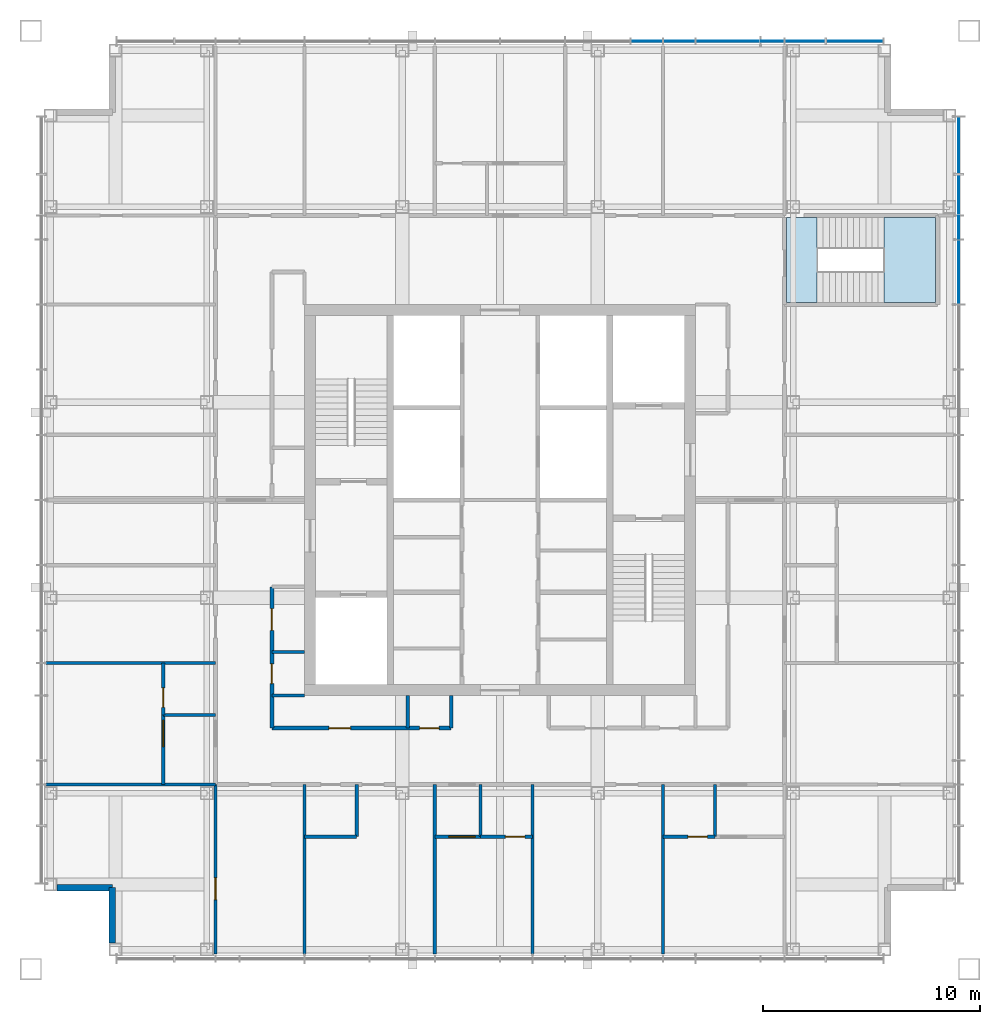
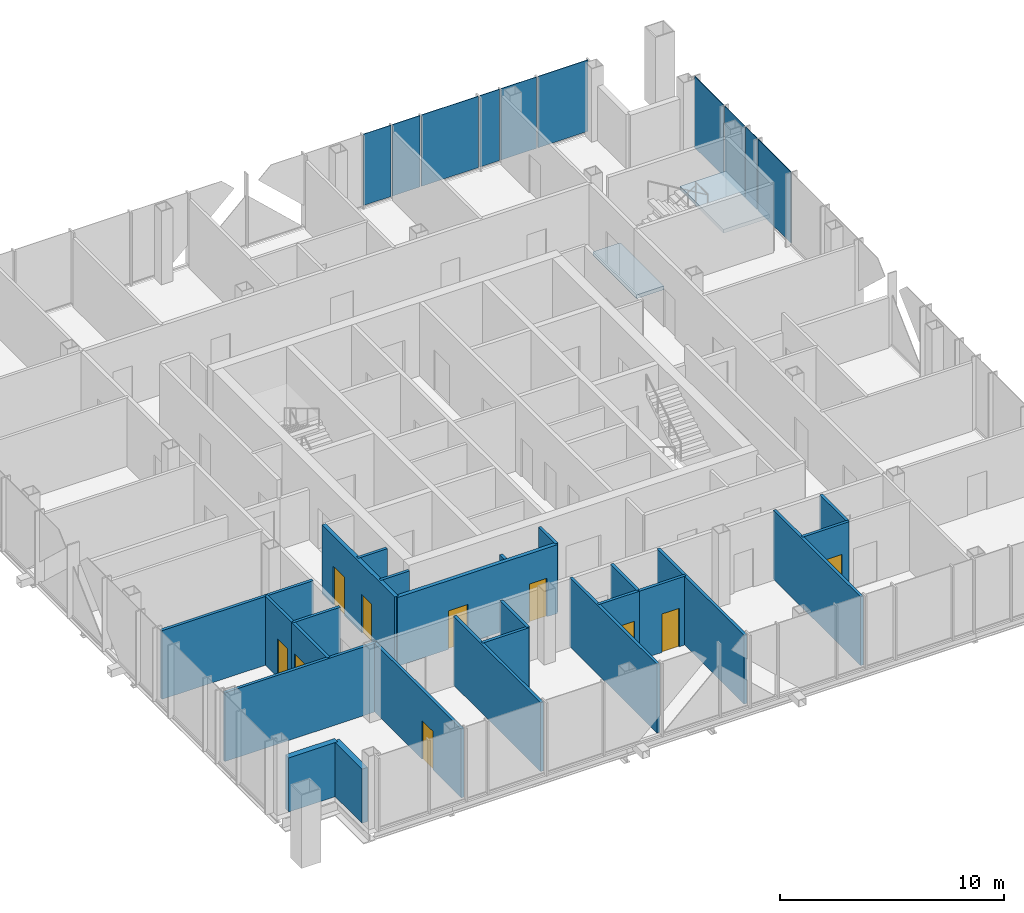
# One storey, part 7 of 12: 25 walls, 10 doors, 10 plates, 2 slabs, 10 openings, 3 elements without a shape of their own.
"""IFC4 building model written with IfcOpenShell, lengths in metres."""

from ifc_helpers import new_model, si_unit, direction, frame, frame_2d, origin, origin_2d, place, context, subcontext, project, spatial, polyline, rectangle, outline, extrude, material, layer, layer_set, type_object, element, fill, aggregate, save


model = new_model("IFC4")

# Units and contexts
model_context = context("Model", 3, precision=1e-05, world=origin(), true_north=direction((0.0, 1.0)))
body_context = subcontext(model_context, "Body", "Model", "MODEL_VIEW")
ifc_project = project(units=[si_unit("LENGTHUNIT", "METRE"), si_unit("AREAUNIT", "SQUARE_METRE"), si_unit("VOLUMEUNIT", "CUBIC_METRE"), si_unit("PLANEANGLEUNIT", "RADIAN"), si_unit("MASSUNIT", "GRAM", prefix="KILO")], contexts=[model_context])

# Site, building, storey
site_placement = place(None, origin())
site = spatial("IfcSite", under=ifc_project, at=site_placement, CompositionType="ELEMENT")
building_placement = place(site_placement, origin())
building = spatial("IfcBuilding", under=site, at=building_placement, Name="Malebo Sky Hospital", CompositionType="ELEMENT")
storey_placement = place(building_placement, frame((0.0, 0.0, 266.0)))
storey = spatial("IfcBuildingStorey", under=building, at=storey_placement, Name="L64", CompositionType="ELEMENT", Elevation=266.0)

# Stair, slabs
ifc_material_1 = material(Name="Concrete C40/50", Category="concrete")
stair_type = type_object("IfcStairType", Name="HALF-TURN STAIR 1400 R167", PredefinedType="HALF_TURN_STAIR", material=ifc_material_1)
stair_placement = place(storey_placement, origin())
stair = element("IfcStair", 1, at=stair_placement, inside=storey, type_object=stair_type, Name="Stair S3 L64 type ST1B", PredefinedType="HALF_TURN_STAIR")
ifc_layer_1 = layer(ifc_material_1, 0.199951171875)
ifc_layer_set_1 = layer_set([ifc_layer_1], Name="STAIR LANDING 200")
slab_type = type_object("IfcSlabType", Name="STAIR LANDING 200", PredefinedType="LANDING", material=ifc_layer_set_1)
slab_1_placement = place(storey_placement, frame((0.0, 0.0, -0.199951171875)))
slab_1 = element("IfcSlab", 2, at=slab_1_placement, type_object=slab_type, Name="S3 landing 1", PredefinedType="LANDING", context=body_context, shape_type="SweptSolid", body=[
    extrude(outline(polyline([(73.199951171875, 71.10009765625), (73.199951171875, 75.0), (74.60009765625, 75.0), (74.60009765625, 71.10009765625), (73.199951171875, 71.10009765625)])), origin(), (0.0, 0.0, 1.0), 0.199951171875),
])
slab_2_placement = place(storey_placement, frame((0.0, 0.0, 1.800048828125)))
slab_2 = element("IfcSlab", 3, at=slab_2_placement, type_object=slab_type, Name="S3 landing 2", PredefinedType="LANDING", context=body_context, shape_type="SweptSolid", body=[
    extrude(outline(polyline([(77.679931640625, 71.10009765625), (77.679931640625, 75.0), (80.050048828125, 75.0), (80.050048828125, 71.10009765625), (77.679931640625, 71.10009765625)])), origin(), (0.0, 0.0, 1.0), 0.199951171875),
])
aggregate(stair, [slab_1, slab_2])

# Curtain wall, plates
ifc_material_2 = material(Name="Anodised aluminium, natural silver", Category="aluminium")
ifc_layer_2 = layer(ifc_material_2, 0.25)
ifc_layer_set_2 = layer_set([ifc_layer_2], Name="WARD CURTAIN WALL NORTH AND SOUTH")
curtain_wall_type_1 = type_object("IfcCurtainWallType", Name="WARD CURTAIN WALL NORTH AND SOUTH", PredefinedType="NOTDEFINED", material=ifc_layer_set_2)
curtain_wall_1_placement = place(storey_placement, origin())
curtain_wall_1 = element("IfcCurtainWall", 4, at=curtain_wall_1_placement, inside=storey, type_object=curtain_wall_type_1, Name="NS curtain wall N", PredefinedType="NOTDEFINED")
ifc_material_3 = material(Name="Clear low-iron double glazing", Category="glass")
ifc_layer_3 = layer(ifc_material_3, 0.031982421875)
ifc_layer_set_3 = layer_set([ifc_layer_3], Name="VISION PANEL CLEAR 32")
plate_type = type_object("IfcPlateType", Name="VISION PANEL CLEAR 32", PredefinedType="CURTAIN_PANEL", material=ifc_layer_set_3)
plate_1_placement = place(storey_placement, frame((66.75, 83.125, 0.10009765625), z_axis=(0.0, 0.0, 1.0), x_axis=(1.0, 0.0, 0.0)))
plate_1 = element("IfcPlate", 5, at=plate_1_placement, type_object=plate_type, Name="Panel 10", PredefinedType="CURTAIN_PANEL", context=body_context, shape_type="SweptSolid", body=[
    extrude(rectangle(XDim=1.425048828125, YDim=0.031982421875, at=origin_2d()), origin(), (0.0, 0.0, 1.0), 3.889892578125),
])
plate_2_placement = place(storey_placement, frame((68.25, 83.125, 0.10009765625), z_axis=(0.0, 0.0, 1.0), x_axis=(1.0, 0.0, 0.0)))
plate_2 = element("IfcPlate", 6, at=plate_2_placement, type_object=plate_type, Name="Panel 11", PredefinedType="CURTAIN_PANEL", context=body_context, shape_type="SweptSolid", body=[
    extrude(rectangle(XDim=1.425048828125, YDim=0.031982421875, at=origin_2d()), origin(), (0.0, 0.0, 1.0), 3.889892578125),
])
plate_3_placement = place(storey_placement, frame((70.5, 83.125, 0.10009765625), z_axis=(0.0, 0.0, 1.0), x_axis=(1.0, 0.0, 0.0)))
plate_3 = element("IfcPlate", 7, at=plate_3_placement, type_object=plate_type, Name="Panel 12", PredefinedType="CURTAIN_PANEL", context=body_context, shape_type="SweptSolid", body=[
    extrude(rectangle(XDim=2.925048828125, YDim=0.031982421875, at=origin_2d()), origin(), (0.0, 0.0, 1.0), 3.889892578125),
])
plate_4_placement = place(storey_placement, frame((72.550048828125, 83.125, 0.10009765625), z_axis=(0.0, 0.0, 1.0), x_axis=(1.0, 0.0, 0.0)))
plate_4 = element("IfcPlate", 8, at=plate_4_placement, type_object=plate_type, Name="Panel 13", PredefinedType="CURTAIN_PANEL", context=body_context, shape_type="SweptSolid", body=[
    extrude(rectangle(XDim=1.02490234375, YDim=0.031982421875, at=origin_2d()), origin(), (0.0, 0.0, 1.0), 3.889892578125),
])
plate_5_placement = place(storey_placement, frame((74.050048828125, 83.125, 0.10009765625), z_axis=(0.0, 0.0, 1.0), x_axis=(1.0, 0.0, 0.0)))
plate_5 = element("IfcPlate", 9, at=plate_5_placement, type_object=plate_type, Name="Panel 14", PredefinedType="CURTAIN_PANEL", context=body_context, shape_type="SweptSolid", body=[
    extrude(rectangle(XDim=1.824951171875, YDim=0.031982421875, at=origin_2d()), origin(), (0.0, 0.0, 1.0), 3.889892578125),
])
plate_6_placement = place(storey_placement, frame((76.331298828125, 83.125, 0.10009765625), z_axis=(0.0, 0.0, 1.0), x_axis=(1.0, 0.0, 0.0)))
plate_6 = element("IfcPlate", 10, at=plate_6_placement, type_object=plate_type, Name="Panel 15", PredefinedType="CURTAIN_PANEL", context=body_context, shape_type="SweptSolid", body=[
    extrude(rectangle(XDim=2.58740234375, YDim=0.031982421875, at=origin_2d()), origin(), (0.0, 0.0, 1.0), 3.889892578125),
])
aggregate(curtain_wall_1, [plate_1, plate_2, plate_3, plate_4, plate_5, plate_6])

ifc_layer_4 = layer(ifc_material_2, 0.25)
ifc_layer_set_4 = layer_set([ifc_layer_4], Name="WARD CURTAIN WALL EAST AND WEST")
curtain_wall_type_2 = type_object("IfcCurtainWallType", Name="WARD CURTAIN WALL EAST AND WEST", PredefinedType="NOTDEFINED", material=ifc_layer_set_4)
curtain_wall_2_placement = place(storey_placement, origin())
curtain_wall_2 = element("IfcCurtainWall", 11, at=curtain_wall_2_placement, inside=storey, type_object=curtain_wall_type_2, Name="EW curtain wall E", PredefinedType="NOTDEFINED")
plate_7_placement = place(storey_placement, frame((81.125, 78.331298828125, 0.10009765625), z_axis=(0.0, 0.0, 1.0), x_axis=(0.0, -1.0, 0.0)))
plate_7 = element("IfcPlate", 12, at=plate_7_placement, type_object=plate_type, Name="Panel 1", PredefinedType="CURTAIN_PANEL", context=body_context, shape_type="SweptSolid", body=[
    extrude(rectangle(XDim=2.58740234375, YDim=0.031982421875, at=origin_2d()), origin(), (0.0, 0.0, 1.0), 3.889892578125),
])
plate_8_placement = place(storey_placement, frame((81.125, 76.050048828125, 0.10009765625), z_axis=(0.0, 0.0, 1.0), x_axis=(0.0, -1.0, 0.0)))
plate_8 = element("IfcPlate", 13, at=plate_8_placement, type_object=plate_type, Name="Panel 2", PredefinedType="CURTAIN_PANEL", context=body_context, shape_type="SweptSolid", body=[
    extrude(rectangle(XDim=1.824951171875, YDim=0.031982421875, at=origin_2d()), origin(), (0.0, 0.0, 1.0), 3.889892578125),
])
plate_9_placement = place(storey_placement, frame((81.125, 74.550048828125, 0.10009765625), z_axis=(0.0, 0.0, 1.0), x_axis=(0.0, -1.0, 0.0)))
plate_9 = element("IfcPlate", 14, at=plate_9_placement, type_object=plate_type, Name="Panel 3", PredefinedType="CURTAIN_PANEL", context=body_context, shape_type="SweptSolid", body=[
    extrude(rectangle(XDim=1.02490234375, YDim=0.031982421875, at=origin_2d()), origin(), (0.0, 0.0, 1.0), 3.889892578125),
])
plate_10_placement = place(storey_placement, frame((81.125, 72.5, 0.10009765625), z_axis=(0.0, 0.0, 1.0), x_axis=(0.0, -1.0, 0.0)))
plate_10 = element("IfcPlate", 15, at=plate_10_placement, type_object=plate_type, Name="Panel 4", PredefinedType="CURTAIN_PANEL", context=body_context, shape_type="SweptSolid", body=[
    extrude(rectangle(XDim=2.925048828125, YDim=0.031982421875, at=origin_2d()), origin(), (0.0, 0.0, 1.0), 3.889892578125),
])
aggregate(curtain_wall_2, [plate_7, plate_8, plate_9, plate_10])

# Wall, openings, doors
ifc_material_4 = material(Name="Gypsum board on steel studs", Category="steel")
ifc_layer_5 = layer(ifc_material_4, 0.199951171875)
ifc_layer_set_5 = layer_set([ifc_layer_5], Name="CORRIDOR WALL 200")
wall_type_1 = type_object("IfcWallType", Name="CORRIDOR WALL 200", PredefinedType="PARTITIONING", material=ifc_layer_set_5)
wall_1_placement = place(storey_placement, frame((49.5, 51.5, 0.0), z_axis=(0.0, 0.0, 1.0), x_axis=(0.0, 1.0, 0.0)))
wall_1 = element("IfcWall", 16, at=wall_1_placement, inside=storey, type_object=wall_type_1, Name="Corridor Wall 200 WCI1", PredefinedType="PARTITIONING", context=body_context, shape_type="SweptSolid", body=[
    extrude(rectangle(XDim=6.5, YDim=0.199951171875, at=frame_2d((3.25, 0.0))), origin(), (0.0, 0.0, 1.0), 3.75),
])
opening_1_placement = place(wall_1_placement, frame((2.050048828125, 0.0, 0.0)))
opening_1 = element("IfcOpeningElement", 17, at=opening_1_placement, cuts=wall_1, Name="Opening D04", PredefinedType="OPENING", context=body_context, shape_type="SweptSolid", body=[
    extrude(rectangle(XDim=0.89990234375, YDim=2.10009765625, at=frame_2d((0.449951171875, 1.050048828125))), frame((0.0, 0.10986328125, 0.0), z_axis=(0.0, -1.0, 0.0), x_axis=(1.0, 0.0, 0.0)), (0.0, 0.0, 1.0), 0.219970703125),
])
opening_2_placement = place(wall_1_placement, frame((4.5, 0.0, 0.0)))
opening_2 = element("IfcOpeningElement", 18, at=opening_2_placement, cuts=wall_1, Name="Opening D03", PredefinedType="OPENING", context=body_context, shape_type="SweptSolid", body=[
    extrude(rectangle(XDim=1.0, YDim=2.10009765625, at=frame_2d((0.5, 1.050048828125))), frame((0.0, 0.10986328125, 0.0), z_axis=(0.0, -1.0, 0.0), x_axis=(1.0, 0.0, 0.0)), (0.0, 0.0, 1.0), 0.219970703125),
])
ifc_material_5 = material(Name="Hardwood-faced door leaf in steel frame", Category="steel")
door_type_1 = type_object("IfcDoorType", Name="ROOM DOOR 1000", OperationType="SINGLE_SWING_LEFT", PredefinedType="DOOR", material=ifc_material_5)
door_1_placement = place(opening_2_placement, origin())
door_1 = element("IfcDoor", 19, at=door_1_placement, inside=storey, type_object=door_type_1, Name="Linen store door", OperationType="SINGLE_SWING_LEFT", OverallHeight=2.10009765625, OverallWidth=1.0, PredefinedType="DOOR", context=body_context, shape_type="SweptSolid", body=[
    extrude(rectangle(XDim=1.0, YDim=2.10009765625, at=frame_2d((0.5, 1.050048828125))), frame((0.0, 0.02490234375, 0.0), z_axis=(0.0, -1.0, 0.0), x_axis=(1.0, 0.0, 0.0)), (0.0, 0.0, 1.0), 0.050048828125),
])
fill(opening_2, door_1)
door_type_2 = type_object("IfcDoorType", Name="ROOM DOOR 900", OperationType="SINGLE_SWING_LEFT", PredefinedType="DOOR", material=ifc_material_5)
door_2_placement = place(opening_1_placement, origin())
door_2 = element("IfcDoor", 20, at=door_2_placement, inside=storey, type_object=door_type_2, Name="Staff WC door", OperationType="SINGLE_SWING_LEFT", OverallHeight=2.10009765625, OverallWidth=0.89990234375, PredefinedType="DOOR", context=body_context, shape_type="SweptSolid", body=[
    extrude(rectangle(XDim=0.89990234375, YDim=2.10009765625, at=frame_2d((0.449951171875, 1.050048828125))), frame((0.0, 0.02490234375, 0.0), z_axis=(0.0, -1.0, 0.0), x_axis=(1.0, 0.0, 0.0)), (0.0, 0.0, 1.0), 0.050048828125),
])
fill(opening_1, door_2)

wall_2_placement = place(storey_placement, frame((57.75, 51.5, 0.0), z_axis=(0.0, 0.0, 1.0), x_axis=(-1.0, 0.0, 0.0)))
wall_2 = element("IfcWall", 21, at=wall_2_placement, inside=storey, type_object=wall_type_1, Name="Corridor Wall 200 SCI2", PredefinedType="PARTITIONING", context=body_context, shape_type="SweptSolid", body=[
    extrude(rectangle(XDim=8.25, YDim=0.199951171875, at=frame_2d((4.125, 0.0))), origin(), (0.0, 0.0, 1.0), 3.75),
])
opening_3_placement = place(wall_2_placement, frame((0.550048828125, 0.0, 0.0)))
opening_3 = element("IfcOpeningElement", 22, at=opening_3_placement, cuts=wall_2, Name="Opening D04", PredefinedType="OPENING", context=body_context, shape_type="SweptSolid", body=[
    extrude(rectangle(XDim=0.89990234375, YDim=2.10009765625, at=frame_2d((0.449951171875, 1.050048828125))), frame((0.0, 0.10986328125, 0.0), z_axis=(0.0, -1.0, 0.0), x_axis=(1.0, 0.0, 0.0)), (0.0, 0.0, 1.0), 0.219970703125),
])
opening_4_placement = place(wall_2_placement, frame((4.625, 0.0, 0.0)))
opening_4 = element("IfcOpeningElement", 23, at=opening_4_placement, cuts=wall_2, Name="Opening D03", PredefinedType="OPENING", context=body_context, shape_type="SweptSolid", body=[
    extrude(rectangle(XDim=1.0, YDim=2.10009765625, at=frame_2d((0.5, 1.050048828125))), frame((0.0, 0.10986328125, 0.0), z_axis=(0.0, -1.0, 0.0), x_axis=(1.0, 0.0, 0.0)), (0.0, 0.0, 1.0), 0.219970703125),
])
door_3_placement = place(opening_4_placement, origin())
door_3 = element("IfcDoor", 24, at=door_3_placement, inside=storey, type_object=door_type_1, Name="Gowning store door", OperationType="SINGLE_SWING_RIGHT", OverallHeight=2.10009765625, OverallWidth=1.0, PredefinedType="DOOR", context=body_context, shape_type="SweptSolid", body=[
    extrude(rectangle(XDim=1.0, YDim=2.10009765625, at=frame_2d((0.5, 1.050048828125))), frame((0.0, 0.02490234375, 0.0), z_axis=(0.0, -1.0, 0.0), x_axis=(1.0, 0.0, 0.0)), (0.0, 0.0, 1.0), 0.050048828125),
])
fill(opening_4, door_3)
door_4_placement = place(opening_3_placement, origin())
door_4 = element("IfcDoor", 25, at=door_4_placement, inside=storey, type_object=door_type_2, Name="Visitor WC door", OperationType="SINGLE_SWING_LEFT", OverallHeight=2.10009765625, OverallWidth=0.89990234375, PredefinedType="DOOR", context=body_context, shape_type="SweptSolid", body=[
    extrude(rectangle(XDim=0.89990234375, YDim=2.10009765625, at=frame_2d((0.449951171875, 1.050048828125))), frame((0.0, 0.02490234375, 0.0), z_axis=(0.0, -1.0, 0.0), x_axis=(1.0, 0.0, 0.0)), (0.0, 0.0, 1.0), 0.050048828125),
])
fill(opening_3, door_4)

# Walls
ifc_material_6 = material(Name="Anodised aluminium rainscreen on steel framing", Category="steel")
ifc_layer_6 = layer(ifc_material_6, 0.300048828125)
ifc_layer_set_6 = layer_set([ifc_layer_6], Name="NOTCH RAINSCREEN WALL 300")
wall_type_2 = type_object("IfcWallType", Name="NOTCH RAINSCREEN WALL 300", PredefinedType="ELEMENTEDWALL", material=ifc_layer_set_6)
for number, where, z_axis, x_axis, name in (
    (26, (42.14990234375, 41.60009765625, 0.0), (0.0, 0.0, 1.0), (0.0, 1.0, 0.0), "Notch rainscreen wall S1 L64"),
    (27, (42.14990234375, 44.14990234375, 0.0), (0.0, 0.0, 1.0), (-1.0, 0.0, 0.0), "Notch rainscreen wall S2 L64"),
):
    element("IfcWall", number, at=place(storey_placement, frame(where, z_axis=z_axis, x_axis=x_axis)), inside=storey, type_object=wall_type_2, Name=name, PredefinedType="ELEMENTEDWALL", context=body_context, shape_type="SweptSolid", body=[
        extrude(rectangle(XDim=2.5498046875, YDim=0.300048828125, at=frame_2d((1.27490234375, 0.0))), origin(), (0.0, 0.0, 1.0), 2.949951171875),
    ])
ifc_layer_7 = layer(ifc_material_4, 0.14990234375)
ifc_layer_set_7 = layer_set([ifc_layer_7], Name="PARTITION 150")
wall_type_3 = type_object("IfcWallType", Name="PARTITION 150", PredefinedType="PARTITIONING", material=ifc_layer_set_7)
for number, where, z_axis, x_axis, name in (
    (28, (46.89990234375, 54.5, 0.0), (0.0, 0.0, 1.0), (-1.0, 0.0, 0.0), "Partition 150 WP-7.5"),
    (29, (46.89990234375, 48.89990234375, 0.0), (0.0, 0.0, 1.0), (-1.0, 0.0, 0.0), "Partition 150 WP0"),
):
    element("IfcWall", number, at=place(storey_placement, frame(where, z_axis=z_axis, x_axis=x_axis)), inside=storey, type_object=wall_type_3, Name=name, PredefinedType="PARTITIONING", context=body_context, shape_type="SweptSolid", body=[
        extrude(rectangle(XDim=7.7998046875, YDim=0.14990234375, at=frame_2d((3.89990234375, 0.0))), origin(), (0.0, 0.0, 1.0), 3.75),
    ])

# Wall, opening, door
wall_3_placement = place(storey_placement, frame((44.5, 52.10009765625, 0.0), z_axis=(0.0, 0.0, 1.0), x_axis=(0.0, 1.0, 0.0)))
wall_3 = element("IfcWall", 30, at=wall_3_placement, inside=storey, type_object=wall_type_3, Name="Partition 150 WE0F", PredefinedType="PARTITIONING", context=body_context, shape_type="SweptSolid", body=[
    extrude(rectangle(XDim=2.39990234375, YDim=0.14990234375, at=frame_2d((1.199951171875, 0.0))), origin(), (0.0, 0.0, 1.0), 3.75),
])
opening_5_placement = place(wall_3_placement, frame((0.35009765625, 0.0, 0.0)))
opening_5 = element("IfcOpeningElement", 31, at=opening_5_placement, cuts=wall_3, Name="Opening D02", PredefinedType="OPENING", context=body_context, shape_type="SweptSolid", body=[
    extrude(rectangle(XDim=0.89990234375, YDim=2.10009765625, at=frame_2d((0.449951171875, 1.050048828125))), frame((0.0, 0.0849609375, 0.0), z_axis=(0.0, -1.0, 0.0), x_axis=(1.0, 0.0, 0.0)), (0.0, 0.0, 1.0), 0.169921875),
])
door_type_3 = type_object("IfcDoorType", Name="EN-SUITE DOOR 900", OperationType="SINGLE_SWING_LEFT", PredefinedType="DOOR", material=ifc_material_5)
door_5_placement = place(opening_5_placement, origin())
door_5 = element("IfcDoor", 32, at=door_5_placement, inside=storey, type_object=door_type_3, Name="En-suite door", OperationType="SINGLE_SWING_LEFT", OverallHeight=2.10009765625, OverallWidth=0.89990234375, PredefinedType="DOOR", context=body_context, shape_type="SweptSolid", body=[
    extrude(rectangle(XDim=0.89990234375, YDim=2.10009765625, at=frame_2d((0.449951171875, 1.050048828125))), frame((0.0, 0.02490234375, 0.0), z_axis=(0.0, -1.0, 0.0), x_axis=(1.0, 0.0, 0.0)), (0.0, 0.0, 1.0), 0.050048828125),
])
fill(opening_5, door_5)

# Walls
wall_4_placement = place(storey_placement, frame((46.89990234375, 52.10009765625, 0.0), z_axis=(0.0, 0.0, 1.0), x_axis=(-1.0, 0.0, 0.0)))
element("IfcWall", 33, at=wall_4_placement, inside=storey, type_object=wall_type_3, Name="Partition 150 WE0S", PredefinedType="PARTITIONING", context=body_context, shape_type="SweptSolid", body=[
    extrude(rectangle(XDim=2.39990234375, YDim=0.14990234375, at=frame_2d((1.199951171875, 0.0))), origin(), (0.0, 0.0, 1.0), 3.75),
])
for number, where, z_axis, x_axis, name in (
    (34, (51.0, 53.0, 0.0), (0.0, 0.0, 1.0), (-1.0, 0.0, 0.0), "Partition 150 WSP0"),
    (35, (51.0, 55.0, 0.0), (0.0, 0.0, 1.0), (-1.0, 0.0, 0.0), "Partition 150 WSP-7.0"),
):
    element("IfcWall", number, at=place(storey_placement, frame(where, z_axis=z_axis, x_axis=x_axis)), inside=storey, type_object=wall_type_3, Name=name, PredefinedType="PARTITIONING", context=body_context, shape_type="SweptSolid", body=[
        extrude(rectangle(XDim=1.5, YDim=0.14990234375, at=frame_2d((0.75, 0.0))), origin(), (0.0, 0.0, 1.0), 3.75),
    ])
for number, where, z_axis, x_axis, name in (
    (36, (67.5, 48.89990234375, 0.0), (0.0, 0.0, 1.0), (0.0, -1.0, 0.0), "Partition 150 SP-7.5"),
    (37, (61.5, 48.89990234375, 0.0), (0.0, 0.0, 1.0), (0.0, -1.0, 0.0), "Partition 150 SP-1.5"),
    (38, (57.0, 48.89990234375, 0.0), (0.0, 0.0, 1.0), (0.0, -1.0, 0.0), "Partition 150 SP+3.0"),
    (39, (51.0, 48.89990234375, 0.0), (0.0, 0.0, 1.0), (0.0, -1.0, 0.0), "Partition 150 SP+9.0"),
):
    element("IfcWall", number, at=place(storey_placement, frame(where, z_axis=z_axis, x_axis=x_axis)), inside=storey, type_object=wall_type_3, Name=name, PredefinedType="PARTITIONING", context=body_context, shape_type="SweptSolid", body=[
        extrude(rectangle(XDim=7.7998046875, YDim=0.14990234375, at=frame_2d((3.89990234375, 0.0))), origin(), (0.0, 0.0, 1.0), 3.75),
    ])

# Wall, opening, door
wall_5_placement = place(storey_placement, frame((69.89990234375, 46.5, 0.0), z_axis=(0.0, 0.0, 1.0), x_axis=(-1.0, 0.0, 0.0)))
wall_5 = element("IfcWall", 40, at=wall_5_placement, inside=storey, type_object=wall_type_3, Name="Partition 150 SE0F", PredefinedType="PARTITIONING", context=body_context, shape_type="SweptSolid", body=[
    extrude(rectangle(XDim=2.39990234375, YDim=0.14990234375, at=frame_2d((1.199951171875, 0.0))), origin(), (0.0, 0.0, 1.0), 3.75),
])
opening_6_placement = place(wall_5_placement, frame((0.35009765625, 0.0, 0.0)))
opening_6 = element("IfcOpeningElement", 41, at=opening_6_placement, cuts=wall_5, Name="Opening D02", PredefinedType="OPENING", context=body_context, shape_type="SweptSolid", body=[
    extrude(rectangle(XDim=0.89990234375, YDim=2.10009765625, at=frame_2d((0.449951171875, 1.050048828125))), frame((0.0, 0.0849609375, 0.0), z_axis=(0.0, -1.0, 0.0), x_axis=(1.0, 0.0, 0.0)), (0.0, 0.0, 1.0), 0.169921875),
])
door_6_placement = place(opening_6_placement, origin())
door_6 = element("IfcDoor", 42, at=door_6_placement, inside=storey, type_object=door_type_3, Name="En-suite door", OperationType="SINGLE_SWING_LEFT", OverallHeight=2.10009765625, OverallWidth=0.89990234375, PredefinedType="DOOR", context=body_context, shape_type="SweptSolid", body=[
    extrude(rectangle(XDim=0.89990234375, YDim=2.10009765625, at=frame_2d((0.449951171875, 1.050048828125))), frame((0.0, 0.02490234375, 0.0), z_axis=(0.0, -1.0, 0.0), x_axis=(1.0, 0.0, 0.0)), (0.0, 0.0, 1.0), 0.050048828125),
])
fill(opening_6, door_6)

# Wall
wall_6_placement = place(storey_placement, frame((69.89990234375, 48.89990234375, 0.0), z_axis=(0.0, 0.0, 1.0), x_axis=(0.0, -1.0, 0.0)))
element("IfcWall", 43, at=wall_6_placement, inside=storey, type_object=wall_type_3, Name="Partition 150 SE0S", PredefinedType="PARTITIONING", context=body_context, shape_type="SweptSolid", body=[
    extrude(rectangle(XDim=2.39990234375, YDim=0.14990234375, at=frame_2d((1.199951171875, 0.0))), origin(), (0.0, 0.0, 1.0), 3.75),
])

# Wall, opening, door
wall_7_placement = place(storey_placement, frame((61.5, 46.5, 0.0), z_axis=(0.0, 0.0, 1.0), x_axis=(-1.0, 0.0, 0.0)))
wall_7 = element("IfcWall", 44, at=wall_7_placement, inside=storey, type_object=wall_type_3, Name="Partition 150 SE2F", PredefinedType="PARTITIONING", context=body_context, shape_type="SweptSolid", body=[
    extrude(rectangle(XDim=2.39990234375, YDim=0.14990234375, at=frame_2d((1.199951171875, 0.0))), origin(), (0.0, 0.0, 1.0), 3.75),
])
opening_7_placement = place(wall_7_placement, frame((0.35009765625, 0.0, 0.0)))
opening_7 = element("IfcOpeningElement", 45, at=opening_7_placement, cuts=wall_7, Name="Opening D02", PredefinedType="OPENING", context=body_context, shape_type="SweptSolid", body=[
    extrude(rectangle(XDim=0.89990234375, YDim=2.10009765625, at=frame_2d((0.449951171875, 1.050048828125))), frame((0.0, 0.0849609375, 0.0), z_axis=(0.0, -1.0, 0.0), x_axis=(1.0, 0.0, 0.0)), (0.0, 0.0, 1.0), 0.169921875),
])
door_7_placement = place(opening_7_placement, origin())
door_7 = element("IfcDoor", 46, at=door_7_placement, inside=storey, type_object=door_type_3, Name="En-suite door", OperationType="SINGLE_SWING_LEFT", OverallHeight=2.10009765625, OverallWidth=0.89990234375, PredefinedType="DOOR", context=body_context, shape_type="SweptSolid", body=[
    extrude(rectangle(XDim=0.89990234375, YDim=2.10009765625, at=frame_2d((0.449951171875, 1.050048828125))), frame((0.0, 0.02490234375, 0.0), z_axis=(0.0, -1.0, 0.0), x_axis=(1.0, 0.0, 0.0)), (0.0, 0.0, 1.0), 0.050048828125),
])
fill(opening_7, door_7)

# Walls
for number, where, z_axis, x_axis, name in (
    (47, (59.10009765625, 48.89990234375, 0.0), (0.0, 0.0, 1.0), (0.0, -1.0, 0.0), "Partition 150 SE2S"),
    (48, (53.39990234375, 46.5, 0.0), (0.0, 0.0, 1.0), (-1.0, 0.0, 0.0), "Partition 150 SC3F"),
    (49, (53.39990234375, 48.89990234375, 0.0), (0.0, 0.0, 1.0), (0.0, -1.0, 0.0), "Partition 150 SC3S"),
):
    element("IfcWall", number, at=place(storey_placement, frame(where, z_axis=z_axis, x_axis=x_axis)), inside=storey, type_object=wall_type_3, Name=name, PredefinedType="PARTITIONING", context=body_context, shape_type="SweptSolid", body=[
        extrude(rectangle(XDim=2.39990234375, YDim=0.14990234375, at=frame_2d((1.199951171875, 0.0))), origin(), (0.0, 0.0, 1.0), 3.75),
    ])

# Wall, opening, door
wall_8_placement = place(storey_placement, frame((46.89990234375, 48.89990234375, 0.0), z_axis=(0.0, 0.0, 1.0), x_axis=(0.0, -1.0, 0.0)))
wall_8 = element("IfcWall", 50, at=wall_8_placement, inside=storey, type_object=wall_type_3, Name="Partition 150 SK", PredefinedType="PARTITIONING", context=body_context, shape_type="SweptSolid", body=[
    extrude(rectangle(XDim=7.7998046875, YDim=0.14990234375, at=frame_2d((3.89990234375, 0.0))), origin(), (0.0, 0.0, 1.0), 3.75),
])
opening_8_placement = place(wall_8_placement, frame((4.300048828125, 0.0, 0.0)))
opening_8 = element("IfcOpeningElement", 51, at=opening_8_placement, cuts=wall_8, Name="Opening D03", PredefinedType="OPENING", context=body_context, shape_type="SweptSolid", body=[
    extrude(rectangle(XDim=1.0, YDim=2.10009765625, at=frame_2d((0.5, 1.050048828125))), frame((0.0, 0.0849609375, 0.0), z_axis=(0.0, -1.0, 0.0), x_axis=(1.0, 0.0, 0.0)), (0.0, 0.0, 1.0), 0.169921875),
])
door_8_placement = place(opening_8_placement, origin())
door_8 = element("IfcDoor", 52, at=door_8_placement, inside=storey, type_object=door_type_1, Name="Quiet room door", OperationType="SINGLE_SWING_RIGHT", OverallHeight=2.10009765625, OverallWidth=1.0, PredefinedType="DOOR", context=body_context, shape_type="SweptSolid", body=[
    extrude(rectangle(XDim=1.0, YDim=2.10009765625, at=frame_2d((0.5, 1.050048828125))), frame((0.0, 0.02490234375, 0.0), z_axis=(0.0, -1.0, 0.0), x_axis=(1.0, 0.0, 0.0)), (0.0, 0.0, 1.0), 0.050048828125),
])
fill(opening_8, door_8)

# Walls
wall_9_placement = place(storey_placement, frame((57.75, 53.0, 0.0), z_axis=(0.0, 0.0, 1.0), x_axis=(0.0, -1.0, 0.0)))
element("IfcWall", 53, at=wall_9_placement, inside=storey, type_object=wall_type_3, Name="Partition 150 SSPB", PredefinedType="PARTITIONING", context=body_context, shape_type="SweptSolid", body=[
    extrude(rectangle(XDim=1.5, YDim=0.14990234375, at=frame_2d((0.75, 0.0))), origin(), (0.0, 0.0, 1.0), 3.75),
])
wall_10_placement = place(storey_placement, frame((55.75, 53.0, 0.0), z_axis=(0.0, 0.0, 1.0), x_axis=(0.0, -1.0, 0.0)))
element("IfcWall", 54, at=wall_10_placement, inside=storey, type_object=wall_type_3, Name="Partition 150 SSP+4.2", PredefinedType="PARTITIONING", context=body_context, shape_type="SweptSolid", body=[
    extrude(rectangle(XDim=1.5, YDim=0.14990234375, at=frame_2d((0.75, 0.0))), origin(), (0.0, 0.0, 1.0), 2.949951171875),
])

# Wall, opening, door
ifc_material_7 = material(Name="Sealed gypsum board on steel studs, taped to the slab", Category="steel")
ifc_layer_8 = layer(ifc_material_7, 0.14990234375)
ifc_layer_set_8 = layer_set([ifc_layer_8], Name="SEALED ISOLATION PARTITION 150")
wall_type_4 = type_object("IfcWallType", Name="SEALED ISOLATION PARTITION 150", PredefinedType="PARTITIONING", material=ifc_layer_set_8)
wall_11_placement = place(storey_placement, frame((44.5, 48.89990234375, 0.0), z_axis=(0.0, 0.0, 1.0), x_axis=(0.0, 1.0, 0.0)))
wall_11 = element("IfcWall", 55, at=wall_11_placement, inside=storey, type_object=wall_type_4, Name="Sealed Isolation Partition 150 WA0F", PredefinedType="PARTITIONING", context=body_context, shape_type="SweptSolid", body=[
    extrude(rectangle(XDim=3.2001953125, YDim=0.14990234375, at=frame_2d((1.60009765625, 0.0))), origin(), (0.0, 0.0, 1.0), 3.75),
])
opening_9_placement = place(wall_11_placement, frame((1.75, 0.0, 0.0)))
opening_9 = element("IfcOpeningElement", 56, at=opening_9_placement, cuts=wall_11, Name="Opening D19", PredefinedType="OPENING", context=body_context, shape_type="SweptSolid", body=[
    extrude(rectangle(XDim=1.199951171875, YDim=2.199951171875, at=frame_2d((0.60009765625, 1.10009765625))), frame((0.0, 0.0849609375, 0.0), z_axis=(0.0, -1.0, 0.0), x_axis=(1.0, 0.0, 0.0)), (0.0, 0.0, 1.0), 0.169921875),
])
ifc_material_8 = material(Name="Hardwood-faced door leaf with perimeter seals in steel frame", Category="steel")
door_type_4 = type_object("IfcDoorType", Name="SEALED ISOLATION ROOM DOOR 1200", OperationType="SINGLE_SWING_LEFT", PredefinedType="DOOR", material=ifc_material_8)
door_9_placement = place(opening_9_placement, origin())
door_9 = element("IfcDoor", 57, at=door_9_placement, inside=storey, type_object=door_type_4, Name="Isolation room door", OperationType="SINGLE_SWING_RIGHT", OverallHeight=2.199951171875, OverallWidth=1.199951171875, PredefinedType="DOOR", context=body_context, shape_type="SweptSolid", body=[
    extrude(rectangle(XDim=1.199951171875, YDim=2.199951171875, at=frame_2d((0.60009765625, 1.10009765625))), frame((0.0, 0.02490234375, 0.0), z_axis=(0.0, -1.0, 0.0), x_axis=(1.0, 0.0, 0.0)), (0.0, 0.0, 1.0), 0.050048828125),
])
fill(opening_9, door_9)

wall_12_placement = place(storey_placement, frame((59.10009765625, 46.5, 0.0), z_axis=(0.0, 0.0, 1.0), x_axis=(-1.0, 0.0, 0.0)))
wall_12 = element("IfcWall", 58, at=wall_12_placement, inside=storey, type_object=wall_type_4, Name="Sealed Isolation Partition 150 SA2F", PredefinedType="PARTITIONING", context=body_context, shape_type="SweptSolid", body=[
    extrude(rectangle(XDim=2.10009765625, YDim=0.14990234375, at=frame_2d((1.050048828125, 0.0))), origin(), (0.0, 0.0, 1.0), 3.75),
])
opening_10_placement = place(wall_12_placement, frame((0.25, 0.0, 0.0)))
opening_10 = element("IfcOpeningElement", 59, at=opening_10_placement, cuts=wall_12, Name="Opening D19", PredefinedType="OPENING", context=body_context, shape_type="SweptSolid", body=[
    extrude(rectangle(XDim=1.199951171875, YDim=2.199951171875, at=frame_2d((0.60009765625, 1.10009765625))), frame((0.0, 0.0849609375, 0.0), z_axis=(0.0, -1.0, 0.0), x_axis=(1.0, 0.0, 0.0)), (0.0, 0.0, 1.0), 0.169921875),
])
door_10_placement = place(opening_10_placement, origin())
door_10 = element("IfcDoor", 60, at=door_10_placement, inside=storey, type_object=door_type_4, Name="Isolation room door", OperationType="SINGLE_SWING_LEFT", OverallHeight=2.199951171875, OverallWidth=1.199951171875, PredefinedType="DOOR", context=body_context, shape_type="SweptSolid", body=[
    extrude(rectangle(XDim=1.199951171875, YDim=2.199951171875, at=frame_2d((0.60009765625, 1.10009765625))), frame((0.0, 0.02490234375, 0.0), z_axis=(0.0, -1.0, 0.0), x_axis=(1.0, 0.0, 0.0)), (0.0, 0.0, 1.0), 0.050048828125),
])
fill(opening_10, door_10)

save(model, "model.ifc")
